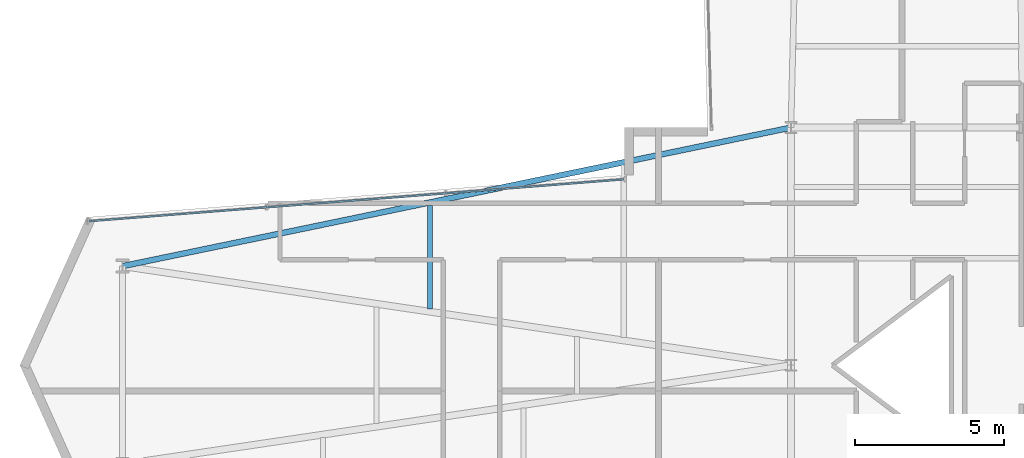
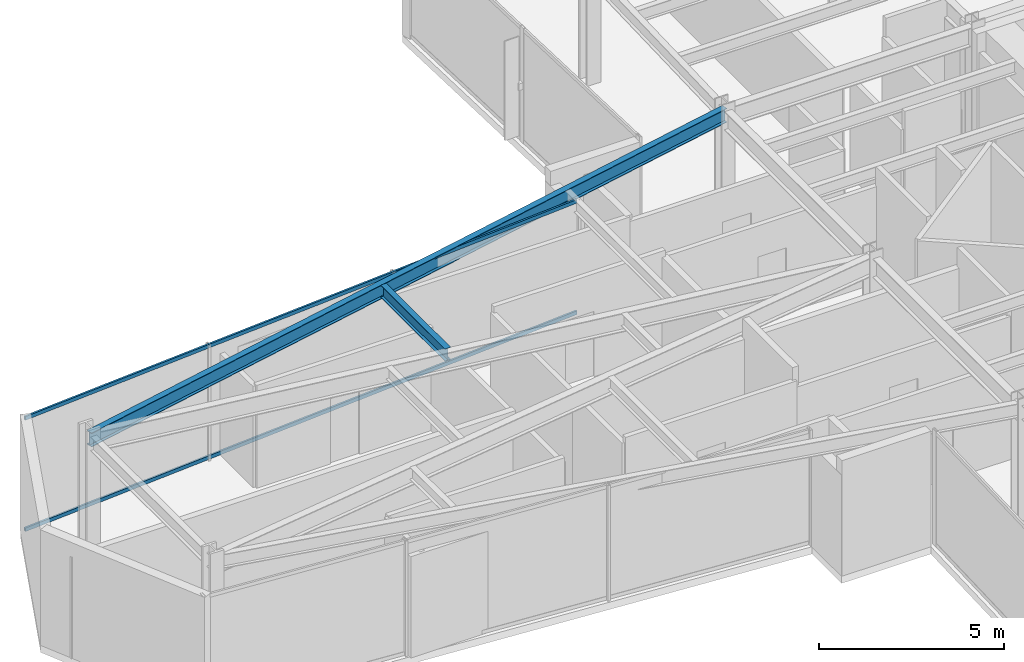
# One storey, part 10 of 29: 2 beams, 2 members, 1 element without a shape of its own.
"""IFC4 building model written with IfcOpenShell, lengths in metres."""

from ifc_helpers import new_model, si_unit, direction, frame, origin, origin_2d, place, context, subcontext, project, spatial, hollow_rectangle, i_section, extrude, material, layer, layer_set, material_profile, profile_set, type_object, element, aggregate, save


model = new_model("IFC4")

# Units and contexts
model_context = context("Model", 3, precision=1e-05, world=origin(), true_north=direction((0.0, 1.0)))
body_context = subcontext(model_context, "Body", "Model", "MODEL_VIEW")
ifc_project = project(units=[si_unit("LENGTHUNIT", "METRE"), si_unit("AREAUNIT", "SQUARE_METRE"), si_unit("VOLUMEUNIT", "CUBIC_METRE"), si_unit("PLANEANGLEUNIT", "RADIAN"), si_unit("MASSUNIT", "GRAM", prefix="KILO")], contexts=[model_context])

# Site, building, storey
site_placement = place(None, origin())
site = spatial("IfcSite", under=ifc_project, at=site_placement, CompositionType="ELEMENT")
building_placement = place(site_placement, origin())
building = spatial("IfcBuilding", under=site, at=building_placement, Name="Veymaron Broadcast Tower", CompositionType="ELEMENT")
storey_placement = place(building_placement, frame((0.0, 0.0, 62.10009765625)))
storey = spatial("IfcBuildingStorey", under=building, at=storey_placement, Name="L13", CompositionType="ELEMENT", Elevation=62.10009765625)

# Beams
ifc_material_1 = material(Name="Structural steel ASTM A992 Gr 50", Category="steel")
ifc_material_profile_1 = material_profile(ifc_material_1, i_section(OverallWidth=0.177978515625, OverallDepth=0.406982421875, WebThickness=0.0078125, FlangeThickness=0.0126953125, at=origin_2d()), Name="W410X60")
ifc_profile_set_1 = profile_set([ifc_material_profile_1], Name="Structural steel ASTM A992 Gr 50")
beam_type_1 = type_object("IfcBeamType", Name="BM-JS1", PredefinedType="JOIST", material=ifc_profile_set_1)
beam_1_placement = place(storey_placement, frame((19.04833984375, 25.90087890625, 3.6064453125), z_axis=(0.0, 1.0, 0.0), x_axis=(-1.0, 0.0, 0.0)))
element("IfcBeam", 1, at=beam_1_placement, inside=storey, type_object=beam_type_1, Name="L13 Arm-A secondary joist 1N", PredefinedType="JOIST", context=body_context, shape_type="SweptSolid", body=[
    extrude(i_section(OverallWidth=0.177978515625, OverallDepth=0.406982421875, WebThickness=0.0078125, FlangeThickness=0.0126953125, at=origin_2d()), origin(), (0.0, 0.0, 1.0), 3.47998046875),
])
ifc_material_profile_2 = material_profile(ifc_material_1, i_section(OverallWidth=0.19091796875, OverallDepth=0.4599609375, WebThickness=0.010009765625, FlangeThickness=0.01611328125, at=origin_2d()), Name="W460X82")
ifc_profile_set_2 = profile_set([ifc_material_profile_2], Name="Structural steel ASTM A992 Gr 50")
beam_type_2 = type_object("IfcBeamType", Name="BM-SP1", PredefinedType="SPANDREL", material=ifc_profile_set_2)
beam_2_placement = place(storey_placement, frame((8.697021484375, 27.3349609375, 3.579833984375), z_axis=(0.979180395187, 0.202992003984, 0.0), x_axis=(-0.202992003984, 0.979180395187, 0.0)))
element("IfcBeam", 2, at=beam_2_placement, inside=storey, type_object=beam_type_2, Name="L13 primary structural floor girder", PredefinedType="SPANDREL", context=body_context, shape_type="SweptSolid", body=[
    extrude(i_section(OverallWidth=0.19091796875, OverallDepth=0.4599609375, WebThickness=0.010009765625, FlangeThickness=0.01611328125, at=origin_2d()), origin(), (0.0, 0.0, 1.0), 22.9814453125),
])

# Curtain wall, members
ifc_material_2 = material(Name="Anodised aluminium AA 6063-T6 and laminated low-E dark glass", Category="aluminium")
ifc_layer = layer(ifc_material_2, 0.179931640625)
ifc_layer_set = layer_set([ifc_layer], Name="Anodised aluminium AA 6063-T6 and laminated low-E dark glass")
curtain_wall_type = type_object("IfcCurtainWallType", Name="CW-SYS-02", PredefinedType="NOTDEFINED", material=ifc_layer_set)
curtain_wall_placement = place(storey_placement, origin())
curtain_wall = element("IfcCurtainWall", 3, at=curtain_wall_placement, inside=storey, type_object=curtain_wall_type, Name="L13 dark-glass curtain wall CW-L13-E11-1", PredefinedType="NOTDEFINED")
ifc_material_3 = material(Name="Anodised aluminium AA 6063-T6", Category="aluminium")
ifc_material_profile_3 = material_profile(ifc_material_3, hollow_rectangle(XDim=0.06005859375, YDim=0.1201171875, WallThickness=0.00390625, at=origin_2d()), Name="AL120X60X4")
ifc_profile_set_3 = profile_set([ifc_material_profile_3], Name="Anodised aluminium AA 6063-T6")
member_type = type_object("IfcMemberType", Name="CW-TRN-02", PredefinedType="USERDEFINED", material=ifc_profile_set_3)
member_1_placement = place(storey_placement, frame((25.569091796875, 30.2568359375, 0.06982421875), z_axis=(-0.996952327032, -0.078013188791, 0.0), x_axis=(0.078013188791, -0.996952327032, 0.0)))
member_1 = element("IfcMember", 4, at=member_1_placement, type_object=member_type, Name="CW-L13-E11-1 transom B", ObjectType="TRANSOM", PredefinedType="USERDEFINED", context=body_context, shape_type="SweptSolid", body=[
    extrude(hollow_rectangle(XDim=0.06005859375, YDim=0.1201171875, WallThickness=0.00390625, at=origin_2d()), origin(), (0.0, 0.0, 1.0), 18.063232421875),
])
member_2_placement = place(storey_placement, frame((25.569091796875, 30.2568359375, 3.739990234375), z_axis=(-0.996952327032, -0.078013188791, 0.0), x_axis=(0.078013188791, -0.996952327032, 0.0)))
member_2 = element("IfcMember", 5, at=member_2_placement, type_object=member_type, Name="CW-L13-E11-1 transom T", ObjectType="TRANSOM", PredefinedType="USERDEFINED", context=body_context, shape_type="SweptSolid", body=[
    extrude(hollow_rectangle(XDim=0.06005859375, YDim=0.1201171875, WallThickness=0.00390625, at=origin_2d()), origin(), (0.0, 0.0, 1.0), 18.063232421875),
])
aggregate(curtain_wall, [member_1, member_2])

save(model, "model.ifc")
